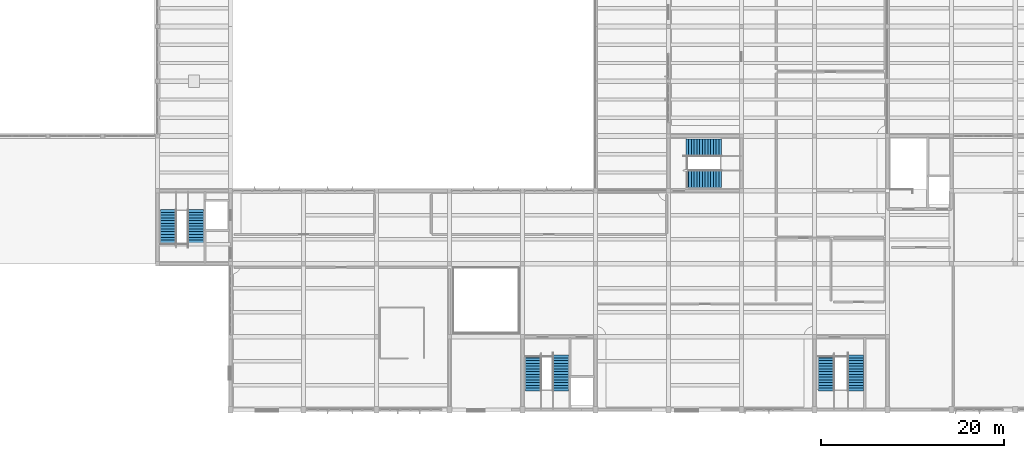
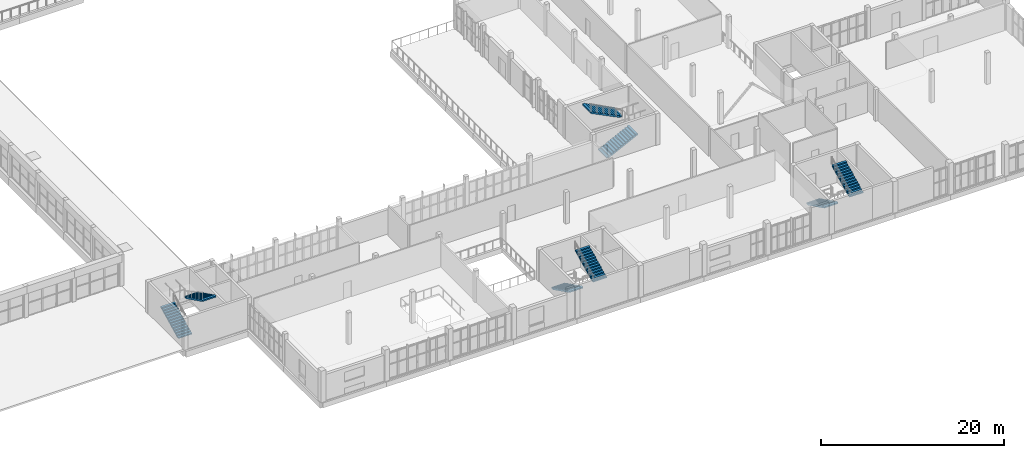
# One storey, part 58 of 70: 8 stair flights, 4 elements without a shape of their own.
"""IFC4 building model written with IfcOpenShell, lengths in metres."""

import ifcopenshell
import ifcopenshell.guid

model = None  # the IFC model being written
_history = None  # IfcOwnerHistory: only IFC2X3 demands one
_inside = {}  # id of a spatial element -> (the spatial element, [elements in it])
_under = {}  # id of a project, library or spatial element -> (it, [spatial elements below it])
_declared = {}  # id of a project -> (the project, [libraries it declares])
_typed = {}  # id of a type object -> (the type object, [elements of that type])
_made_of = {}  # id of a material, layer set ... -> (it, [elements and type objects made of it])


def new_model(schema):
    """Start an empty IFC model of exactly this schema.

    Asked for "IFC4X3", IfcOpenShell would pick the latest addendum, in which some entities
    have other attributes; the version numbers below select the first issue.
    IFC2X3 requires an IfcOwnerHistory on every rooted entity: one is made here for all.
    """
    global model, _history
    if schema == "IFC4X3":
        model = ifcopenshell.file(schema_version=(4, 3, 0, 0))
    else:
        model = ifcopenshell.file(schema=schema)
    _inside.clear()
    _under.clear()
    _declared.clear()
    _typed.clear()
    _made_of.clear()
    _history = None
    if model.schema == "IFC2X3":
        org = make("IfcOrganization", Name="unknown")
        user = make(
            "IfcPersonAndOrganization",
            ThePerson=make("IfcPerson", FamilyName="unknown"),
            TheOrganization=org,
        )
        app = make(
            "IfcApplication",
            ApplicationDeveloper=org,
            Version="unknown",
            ApplicationFullName="unknown",
            ApplicationIdentifier="unknown",
        )
        _history = make(
            "IfcOwnerHistory",
            OwningUser=user,
            OwningApplication=app,
            ChangeAction="ADDED",
            CreationDate=0,
        )
    return model


def make(cls, **values):
    """One entity of the class cls with the attributes given. An attribute that is None is left unset."""
    return model.create_entity(
        cls, **{name: value for name, value in values.items() if value is not None}
    )


def rooted(cls, **values):
    """An entity with a GlobalId (a new one), such as an element, a storey or a relation."""
    return make(cls, GlobalId=ifcopenshell.guid.new(), OwnerHistory=_history, **values)


def si_unit(unit_type, name, prefix=None):
    """IfcSIUnit, for example si_unit("LENGTHUNIT", "METRE", prefix="MILLI")."""
    return make("IfcSIUnit", UnitType=unit_type, Prefix=prefix, Name=name)


def assignment(units):
    """IfcUnitAssignment: the units of a project."""
    return None if units is None else make("IfcUnitAssignment", Units=units)


def point(xyz):
    """IfcCartesianPoint."""
    return None if xyz is None else make("IfcCartesianPoint", Coordinates=xyz)


def direction(xyz):
    """IfcDirection."""
    return None if xyz is None else make("IfcDirection", DirectionRatios=xyz)


def frame(location, z_axis=None, x_axis=None):
    """IfcAxis2Placement3D, a coordinate frame: its origin and axes. An axis left out is left unset."""
    return make(
        "IfcAxis2Placement3D",
        Location=point(location),
        Axis=direction(z_axis),
        RefDirection=direction(x_axis),
    )


def origin():
    """The frame at (0, 0, 0) with its axes left unset."""
    return frame((0.0, 0.0, 0.0))


def place(relative_to, where):
    """IfcLocalPlacement: puts the frame where relative to a parent placement (None: the world)."""
    return make(
        "IfcLocalPlacement", PlacementRelTo=relative_to, RelativePlacement=where
    )


def context(
    kind, dimensions, precision=None, world=None, true_north=None, identifier=None
):
    """IfcGeometricRepresentationContext, for example the 3D "Model" context."""
    return make(
        "IfcGeometricRepresentationContext",
        ContextIdentifier=identifier,
        ContextType=kind,
        CoordinateSpaceDimension=dimensions,
        Precision=precision,
        WorldCoordinateSystem=world,
        TrueNorth=true_north,
    )


def subcontext(parent, identifier, kind, view, scale=None):
    """IfcGeometricRepresentationSubContext, for example "Body" below "Model"."""
    return make(
        "IfcGeometricRepresentationSubContext",
        ContextIdentifier=identifier,
        ContextType=kind,
        ParentContext=parent,
        TargetScale=scale,
        TargetView=view,
    )


def project(units=None, contexts=None):
    """IfcProject with its units and contexts."""
    return rooted(
        "IfcProject",
        Name="project",
        RepresentationContexts=contexts,
        UnitsInContext=assignment(units),
    )


def spatial(cls, under=None, at=None, **own):
    """A site, building, storey or space (cls), placed at a placement, below another one or the project."""
    s = rooted(cls, ObjectPlacement=at, **own)
    if under is not None:
        _under.setdefault(under.id(), (under, []))[1].append(s)
    return s


def polyline(points):
    """IfcPolyline through the points."""
    return make("IfcPolyline", Points=[point(p) for p in points])


def outline(outer, holes=None, kind="AREA"):
    """IfcArbitraryClosedProfileDef: a profile drawn as a closed curve; with holes, ...WithVoids."""
    if holes is None:
        return make("IfcArbitraryClosedProfileDef", ProfileType=kind, OuterCurve=outer)
    return make(
        "IfcArbitraryProfileDefWithVoids",
        ProfileType=kind,
        OuterCurve=outer,
        InnerCurves=holes,
    )


def extrude(swept, where, along, depth):
    """IfcExtrudedAreaSolid: the profile swept, set in the frame where, extruded along a direction by depth."""
    return make(
        "IfcExtrudedAreaSolid",
        SweptArea=swept,
        Position=where,
        ExtrudedDirection=direction(along),
        Depth=depth,
    )


def shape(context_of_items, identifier, shape_type, items):
    """IfcShapeRepresentation: the items that make up one representation, for example the "Body"."""
    return make(
        "IfcShapeRepresentation",
        ContextOfItems=context_of_items,
        RepresentationIdentifier=identifier,
        RepresentationType=shape_type,
        Items=items,
    )


def material(Name=None, Category=None):
    """IfcMaterial."""
    return make("IfcMaterial", Name=Name, Category=Category)


def made_of(thing, what):
    """Note that an element or type object is made of a material, layer set ...; save() writes the relation."""
    if what is not None:
        _made_of.setdefault(what.id(), (what, []))[1].append(thing)
    return thing


def type_object(cls, material=None, **own):
    """A type object (cls), such as IfcWallType, which elements share."""
    return made_of(rooted(cls, **own), material)


def element(
    cls,
    number,
    at=None,
    inside=None,
    cuts=None,
    type_object=None,
    material=None,
    context=None,
    identifier="Body",
    shape_type=None,
    held_by="IfcProductDefinitionShape",
    body=None,
    shapes=None,
    **own,
):
    """One element of the class cls, such as IfcWall. Its Tag is "e" and its number.

    at: its placement. inside: the storey or other place that contains it. cuts: it is an
    opening in that element (IfcRelVoidsElement). A single representation is given by context,
    identifier, shape_type and body (its items); several are given by shapes. held_by: the class
    of the entity that holds the representations. save() writes the other relations.
    """
    e = rooted(cls, Tag="e%d" % number, ObjectPlacement=at, **own)
    if body is not None:
        shapes = [shape(context, identifier, shape_type, body)]
    if shapes is not None:
        e.Representation = make(held_by, Representations=shapes)
    if inside is not None:
        _inside.setdefault(inside.id(), (inside, []))[1].append(e)
    if cuts is not None:
        rooted(
            "IfcRelVoidsElement", RelatingBuildingElement=cuts, RelatedOpeningElement=e
        )
    if type_object is not None:
        _typed.setdefault(type_object.id(), (type_object, []))[1].append(e)
    return made_of(e, material)


def aggregate(whole, parts):
    """IfcRelAggregates: a whole, such as a stair, and the parts it consists of."""
    return rooted("IfcRelAggregates", RelatingObject=whole, RelatedObjects=parts)


def save(model, path):
    """Write the relations noted so far, then the file.

    IfcRelAggregates (storeys below a building ...), IfcRelContainedInSpatialStructure (elements
    in a storey), IfcRelDefinesByType, IfcRelAssociatesMaterial and IfcRelDeclares: one each for
    every whole, place, type object, material and project.
    """
    for whole, parts in _under.values():
        aggregate(whole, parts)
    for where, things in _inside.values():
        rooted(
            "IfcRelContainedInSpatialStructure",
            RelatedElements=things,
            RelatingStructure=where,
        )
    for kind, things in _typed.values():
        rooted("IfcRelDefinesByType", RelatedObjects=things, RelatingType=kind)
    for what, things in _made_of.values():
        rooted("IfcRelAssociatesMaterial", RelatedObjects=things, RelatingMaterial=what)
    for by, libraries in _declared.values():
        rooted("IfcRelDeclares", RelatingContext=by, RelatedDefinitions=libraries)
    model.write(path)


model = new_model("IFC4")

# Units and contexts
model_context = context("Model", 3, precision=1e-05, world=origin(), true_north=direction((0.0, 1.0)))
body_context = subcontext(model_context, "Body", "Model", "MODEL_VIEW")
ifc_project = project(units=[si_unit("LENGTHUNIT", "METRE"), si_unit("AREAUNIT", "SQUARE_METRE"), si_unit("VOLUMEUNIT", "CUBIC_METRE"), si_unit("PLANEANGLEUNIT", "RADIAN"), si_unit("MASSUNIT", "GRAM", prefix="KILO")], contexts=[model_context])

# Site, building, storey
site_placement = place(None, origin())
site = spatial("IfcSite", under=ifc_project, at=site_placement, CompositionType="ELEMENT")
building_placement = place(site_placement, origin())
building = spatial("IfcBuilding", under=site, at=building_placement, Name="Solvane Community Centre", CompositionType="ELEMENT")
storey_placement = place(building_placement, frame((0.0, 0.0, 9.60009765625)))
storey = spatial("IfcBuildingStorey", under=building, at=storey_placement, Name="L02", CompositionType="ELEMENT", Elevation=9.60009765625)

# Stair, stair flights
ifc_material = material(Name="Concrete C35/45", Category="concrete")
stair_type_1 = type_object("IfcStairType", Name="RC Two-Flight Escape Stair 1720mm", PredefinedType="TWO_STRAIGHT_RUN_STAIR", material=ifc_material)
stair_1_placement = place(storey_placement, origin())
stair_1 = element("IfcStair", 1, at=stair_1_placement, inside=storey, type_object=stair_type_1, Name="Stair STR-C1-L02", PredefinedType="TWO_STRAIGHT_RUN_STAIR")
stair_flight_type_1 = type_object("IfcStairFlightType", Name="RC Straight Stair Flight 1720mm", PredefinedType="STRAIGHT", material=ifc_material)
stair_flight_1_placement = place(storey_placement, frame((61.199951171875, 24.0, 0.0), z_axis=(0.0, 0.0, 1.0), x_axis=(0.0, 1.0, 0.0)))
stair_flight_1 = element("IfcStairFlight", 2, at=stair_flight_1_placement, type_object=stair_flight_type_1, Name="ST-01 flight 1", NumberOfRisers=14, NumberOfTreads=13, PredefinedType="STRAIGHT", RiserHeight=0.15, TreadLength=0.301538462, context=body_context, shape_type="SweptSolid", body=[
    extrude(outline(polyline([(0.0, 0.0), (0.0, 0.14990234375), (0.301513671875, 0.14990234375), (0.301513671875, 0.300048828125), (0.60302734375, 0.300048828125), (0.60302734375, 0.449951171875), (0.904541015625, 0.449951171875), (0.904541015625, 0.60009765625), (1.2060546875, 0.60009765625), (1.2060546875, 0.75), (1.5078125, 0.75), (1.5078125, 0.89990234375), (1.809326171875, 0.89990234375), (1.809326171875, 1.050048828125), (2.11083984375, 1.050048828125), (2.11083984375, 1.199951171875), (2.412353515625, 1.199951171875), (2.412353515625, 1.35009765625), (2.7138671875, 1.35009765625), (2.7138671875, 1.5), (3.015380859375, 1.5), (3.015380859375, 1.64990234375), (3.31689453125, 1.64990234375), (3.31689453125, 1.800048828125), (3.618408203125, 1.800048828125), (3.618408203125, 1.949951171875), (3.919921875, 1.949951171875), (3.919921875, 2.10009765625), (3.919921875, 1.771484375), (0.359130859375, 0.0), (0.0, 0.0)])), frame((0.0, 0.85986328125, 0.0), z_axis=(0.0, -1.0, 0.0), x_axis=(1.0, 0.0, 0.0)), (0.0, 0.0, 1.0), 1.719970703125),
])
stair_flight_2_placement = place(storey_placement, frame((64.199951171875, 27.919921875, 2.099853515625), z_axis=(0.0, 0.0, 1.0), x_axis=(0.0, -1.0, 0.0)))
stair_flight_2 = element("IfcStairFlight", 3, at=stair_flight_2_placement, type_object=stair_flight_type_1, Name="ST-01 flight 2", NumberOfRisers=14, NumberOfTreads=13, PredefinedType="STRAIGHT", RiserHeight=0.15, TreadLength=0.301538462, context=body_context, shape_type="SweptSolid", body=[
    extrude(outline(polyline([(0.0, 0.0), (0.0, 0.14990234375), (0.301513671875, 0.14990234375), (0.301513671875, 0.300048828125), (0.60302734375, 0.300048828125), (0.60302734375, 0.449951171875), (0.904541015625, 0.449951171875), (0.904541015625, 0.60009765625), (1.2060546875, 0.60009765625), (1.2060546875, 0.75), (1.5078125, 0.75), (1.5078125, 0.89990234375), (1.809326171875, 0.89990234375), (1.809326171875, 1.050048828125), (2.11083984375, 1.050048828125), (2.11083984375, 1.199951171875), (2.412353515625, 1.199951171875), (2.412353515625, 1.35009765625), (2.7138671875, 1.35009765625), (2.7138671875, 1.5), (3.015380859375, 1.5), (3.015380859375, 1.64990234375), (3.31689453125, 1.64990234375), (3.31689453125, 1.800048828125), (3.618408203125, 1.800048828125), (3.618408203125, 1.949951171875), (3.919921875, 1.949951171875), (3.919921875, 2.10009765625), (3.919921875, 1.771484375), (0.359130859375, 0.0), (0.0, 0.0)])), frame((0.0, 0.85986328125, 0.0), z_axis=(0.0, -1.0, 0.0), x_axis=(1.0, 0.0, 0.0)), (0.0, 0.0, 1.0), 1.719970703125),
])
aggregate(stair_1, [stair_flight_1, stair_flight_2])

stair_2_placement = place(storey_placement, origin())
stair_2 = element("IfcStair", 4, at=stair_2_placement, inside=storey, type_object=stair_type_1, Name="Stair STR-C2-L02", PredefinedType="TWO_STRAIGHT_RUN_STAIR")
stair_flight_3_placement = place(storey_placement, frame((101.199951171875, 12.0, 0.0), z_axis=(0.0, 0.0, 1.0), x_axis=(0.0, -1.0, 0.0)))
stair_flight_3 = element("IfcStairFlight", 5, at=stair_flight_3_placement, type_object=stair_flight_type_1, Name="ST-02 flight 1", NumberOfRisers=14, NumberOfTreads=13, PredefinedType="STRAIGHT", RiserHeight=0.15, TreadLength=0.301538462, context=body_context, shape_type="SweptSolid", body=[
    extrude(outline(polyline([(0.0, 0.0), (0.0, 0.14990234375), (0.301513671875, 0.14990234375), (0.301513671875, 0.300048828125), (0.60302734375, 0.300048828125), (0.60302734375, 0.449951171875), (0.904541015625, 0.449951171875), (0.904541015625, 0.60009765625), (1.2060546875, 0.60009765625), (1.2060546875, 0.75), (1.5078125, 0.75), (1.5078125, 0.89990234375), (1.809326171875, 0.89990234375), (1.809326171875, 1.050048828125), (2.11083984375, 1.050048828125), (2.11083984375, 1.199951171875), (2.412353515625, 1.199951171875), (2.412353515625, 1.35009765625), (2.7138671875, 1.35009765625), (2.7138671875, 1.5), (3.015380859375, 1.5), (3.015380859375, 1.64990234375), (3.31689453125, 1.64990234375), (3.31689453125, 1.800048828125), (3.618408203125, 1.800048828125), (3.618408203125, 1.949951171875), (3.919921875, 1.949951171875), (3.919921875, 2.10009765625), (3.919921875, 1.771484375), (0.359130859375, 0.0), (0.0, 0.0)])), frame((0.0, 0.85986328125, 0.0), z_axis=(0.0, -1.0, 0.0), x_axis=(1.0, 0.0, 0.0)), (0.0, 0.0, 1.0), 1.719970703125),
])
stair_flight_4_placement = place(storey_placement, frame((104.199951171875, 8.080078125, 2.099853515625), z_axis=(0.0, 0.0, 1.0), x_axis=(0.0, 1.0, 0.0)))
stair_flight_4 = element("IfcStairFlight", 6, at=stair_flight_4_placement, type_object=stair_flight_type_1, Name="ST-02 flight 2", NumberOfRisers=14, NumberOfTreads=13, PredefinedType="STRAIGHT", RiserHeight=0.15, TreadLength=0.301538462, context=body_context, shape_type="SweptSolid", body=[
    extrude(outline(polyline([(0.0, 0.0), (0.0, 0.14990234375), (0.301513671875, 0.14990234375), (0.301513671875, 0.300048828125), (0.60302734375, 0.300048828125), (0.60302734375, 0.449951171875), (0.904541015625, 0.449951171875), (0.904541015625, 0.60009765625), (1.2060546875, 0.60009765625), (1.2060546875, 0.75), (1.5078125, 0.75), (1.5078125, 0.89990234375), (1.809326171875, 0.89990234375), (1.809326171875, 1.050048828125), (2.11083984375, 1.050048828125), (2.11083984375, 1.199951171875), (2.412353515625, 1.199951171875), (2.412353515625, 1.35009765625), (2.7138671875, 1.35009765625), (2.7138671875, 1.5), (3.015380859375, 1.5), (3.015380859375, 1.64990234375), (3.31689453125, 1.64990234375), (3.31689453125, 1.800048828125), (3.618408203125, 1.800048828125), (3.618408203125, 1.949951171875), (3.919921875, 1.949951171875), (3.919921875, 2.10009765625), (3.919921875, 1.771484375), (0.359130859375, 0.0), (0.0, 0.0)])), frame((0.0, 0.85986328125, 0.0), z_axis=(0.0, -1.0, 0.0), x_axis=(1.0, 0.0, 0.0)), (0.0, 0.0, 1.0), 1.719970703125),
])
aggregate(stair_2, [stair_flight_3, stair_flight_4])

stair_3_placement = place(storey_placement, origin())
stair_3 = element("IfcStair", 7, at=stair_3_placement, inside=storey, type_object=stair_type_1, Name="Stair STR-C3-L02", PredefinedType="TWO_STRAIGHT_RUN_STAIR")
stair_flight_5_placement = place(storey_placement, frame((133.300048828125, 12.0, 0.0), z_axis=(0.0, 0.0, 1.0), x_axis=(0.0, -1.0, 0.0)))
stair_flight_5 = element("IfcStairFlight", 8, at=stair_flight_5_placement, type_object=stair_flight_type_1, Name="ST-05 flight 1", NumberOfRisers=14, NumberOfTreads=13, PredefinedType="STRAIGHT", RiserHeight=0.15, TreadLength=0.301538462, context=body_context, shape_type="SweptSolid", body=[
    extrude(outline(polyline([(0.0, 0.0), (0.0, 0.14990234375), (0.301513671875, 0.14990234375), (0.301513671875, 0.300048828125), (0.60302734375, 0.300048828125), (0.60302734375, 0.449951171875), (0.904541015625, 0.449951171875), (0.904541015625, 0.60009765625), (1.2060546875, 0.60009765625), (1.2060546875, 0.75), (1.5078125, 0.75), (1.5078125, 0.89990234375), (1.809326171875, 0.89990234375), (1.809326171875, 1.050048828125), (2.11083984375, 1.050048828125), (2.11083984375, 1.199951171875), (2.412353515625, 1.199951171875), (2.412353515625, 1.35009765625), (2.7138671875, 1.35009765625), (2.7138671875, 1.5), (3.015380859375, 1.5), (3.015380859375, 1.64990234375), (3.31689453125, 1.64990234375), (3.31689453125, 1.800048828125), (3.618408203125, 1.800048828125), (3.618408203125, 1.949951171875), (3.919921875, 1.949951171875), (3.919921875, 2.10009765625), (3.919921875, 1.771484375), (0.359130859375, 0.0), (0.0, 0.0)])), frame((0.0, 0.85986328125, 0.0), z_axis=(0.0, -1.0, 0.0), x_axis=(1.0, 0.0, 0.0)), (0.0, 0.0, 1.0), 1.719970703125),
])
stair_flight_6_placement = place(storey_placement, frame((136.5, 8.080078125, 2.099853515625), z_axis=(0.0, 0.0, 1.0), x_axis=(0.0, 1.0, 0.0)))
stair_flight_6 = element("IfcStairFlight", 9, at=stair_flight_6_placement, type_object=stair_flight_type_1, Name="ST-05 flight 2", NumberOfRisers=14, NumberOfTreads=13, PredefinedType="STRAIGHT", RiserHeight=0.15, TreadLength=0.301538462, context=body_context, shape_type="SweptSolid", body=[
    extrude(outline(polyline([(0.0, 0.0), (0.0, 0.14990234375), (0.301513671875, 0.14990234375), (0.301513671875, 0.300048828125), (0.60302734375, 0.300048828125), (0.60302734375, 0.449951171875), (0.904541015625, 0.449951171875), (0.904541015625, 0.60009765625), (1.2060546875, 0.60009765625), (1.2060546875, 0.75), (1.5078125, 0.75), (1.5078125, 0.89990234375), (1.809326171875, 0.89990234375), (1.809326171875, 1.050048828125), (2.11083984375, 1.050048828125), (2.11083984375, 1.199951171875), (2.412353515625, 1.199951171875), (2.412353515625, 1.35009765625), (2.7138671875, 1.35009765625), (2.7138671875, 1.5), (3.015380859375, 1.5), (3.015380859375, 1.64990234375), (3.31689453125, 1.64990234375), (3.31689453125, 1.800048828125), (3.618408203125, 1.800048828125), (3.618408203125, 1.949951171875), (3.919921875, 1.949951171875), (3.919921875, 2.10009765625), (3.919921875, 1.771484375), (0.359130859375, 0.0), (0.0, 0.0)])), frame((0.0, 0.85986328125, 0.0), z_axis=(0.0, -1.0, 0.0), x_axis=(1.0, 0.0, 0.0)), (0.0, 0.0, 1.0), 1.719970703125),
])
aggregate(stair_3, [stair_flight_5, stair_flight_6])

stair_type_2 = type_object("IfcStairType", Name="RC Two-Flight Escape Stair 1880mm", PredefinedType="TWO_STRAIGHT_RUN_STAIR", material=ifc_material)
stair_4_placement = place(storey_placement, origin())
stair_4 = element("IfcStair", 10, at=stair_4_placement, inside=storey, type_object=stair_type_2, Name="Stair STR-C4-L02", PredefinedType="TWO_STRAIGHT_RUN_STAIR")
stair_flight_type_2 = type_object("IfcStairFlightType", Name="RC Straight Stair Flight 1880mm", PredefinedType="STRAIGHT", material=ifc_material)
stair_flight_7_placement = place(storey_placement, frame((117.89990234375, 31.280029296875, 0.0), z_axis=(0.0, 0.0, 1.0), x_axis=(1.0, 0.0, 0.0)))
stair_flight_7 = element("IfcStairFlight", 11, at=stair_flight_7_placement, type_object=stair_flight_type_2, Name="ST-06 flight 1", NumberOfRisers=14, NumberOfTreads=13, PredefinedType="STRAIGHT", RiserHeight=0.15, TreadLength=0.301538462, context=body_context, shape_type="SweptSolid", body=[
    extrude(outline(polyline([(0.0, 0.0), (0.0, 0.14990234375), (0.301513671875, 0.14990234375), (0.301513671875, 0.300048828125), (0.60302734375, 0.300048828125), (0.60302734375, 0.449951171875), (0.904541015625, 0.449951171875), (0.904541015625, 0.60009765625), (1.2060546875, 0.60009765625), (1.2060546875, 0.75), (1.5078125, 0.75), (1.5078125, 0.89990234375), (1.809326171875, 0.89990234375), (1.809326171875, 1.050048828125), (2.11083984375, 1.050048828125), (2.11083984375, 1.199951171875), (2.412353515625, 1.199951171875), (2.412353515625, 1.35009765625), (2.7138671875, 1.35009765625), (2.7138671875, 1.5), (3.015380859375, 1.5), (3.015380859375, 1.64990234375), (3.31689453125, 1.64990234375), (3.31689453125, 1.800048828125), (3.618408203125, 1.800048828125), (3.618408203125, 1.949951171875), (3.919921875, 1.949951171875), (3.919921875, 2.10009765625), (3.919921875, 1.771484375), (0.359130859375, 0.0), (0.0, 0.0)])), frame((0.0, 0.93994140625, 0.0), z_axis=(0.0, -1.0, 0.0), x_axis=(1.0, 0.0, 0.0)), (0.0, 0.0, 1.0), 1.8798828125),
])
stair_flight_8_placement = place(storey_placement, frame((121.820068359375, 34.719970703125, 2.099853515625), z_axis=(0.0, 0.0, 1.0), x_axis=(-1.0, 0.0, 0.0)))
stair_flight_8 = element("IfcStairFlight", 12, at=stair_flight_8_placement, type_object=stair_flight_type_2, Name="ST-06 flight 2", NumberOfRisers=14, NumberOfTreads=13, PredefinedType="STRAIGHT", RiserHeight=0.15, TreadLength=0.301538462, context=body_context, shape_type="SweptSolid", body=[
    extrude(outline(polyline([(0.0, 0.0), (0.0, 0.14990234375), (0.301513671875, 0.14990234375), (0.301513671875, 0.300048828125), (0.60302734375, 0.300048828125), (0.60302734375, 0.449951171875), (0.904541015625, 0.449951171875), (0.904541015625, 0.60009765625), (1.2060546875, 0.60009765625), (1.2060546875, 0.75), (1.5078125, 0.75), (1.5078125, 0.89990234375), (1.809326171875, 0.89990234375), (1.809326171875, 1.050048828125), (2.11083984375, 1.050048828125), (2.11083984375, 1.199951171875), (2.412353515625, 1.199951171875), (2.412353515625, 1.35009765625), (2.7138671875, 1.35009765625), (2.7138671875, 1.5), (3.015380859375, 1.5), (3.015380859375, 1.64990234375), (3.31689453125, 1.64990234375), (3.31689453125, 1.800048828125), (3.618408203125, 1.800048828125), (3.618408203125, 1.949951171875), (3.919921875, 1.949951171875), (3.919921875, 2.10009765625), (3.919921875, 1.771484375), (0.359130859375, 0.0), (0.0, 0.0)])), frame((0.0, 0.93994140625, 0.0), z_axis=(0.0, -1.0, 0.0), x_axis=(1.0, 0.0, 0.0)), (0.0, 0.0, 1.0), 1.8798828125),
])
aggregate(stair_4, [stair_flight_7, stair_flight_8])

save(model, "model.ifc")
